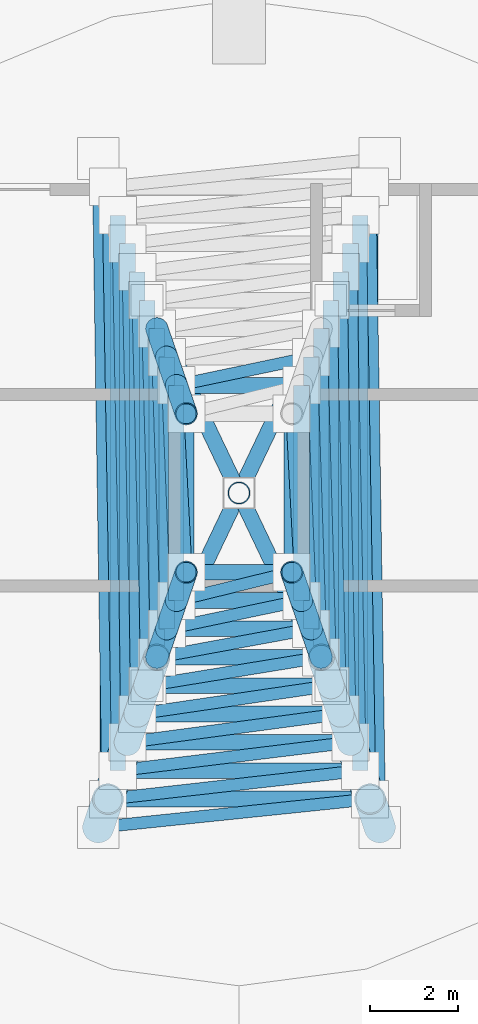
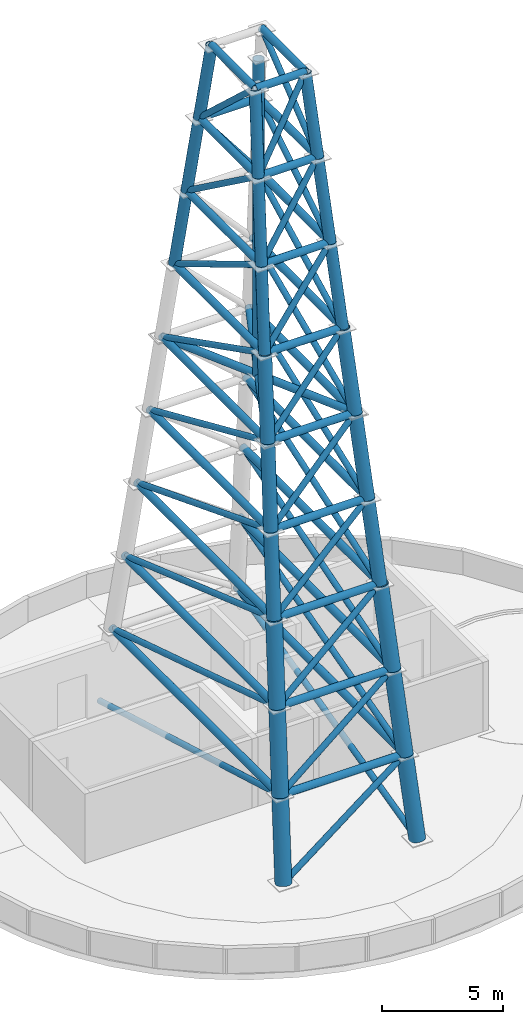
# One storey, part 1 of 4: 81 members.
"""IFC4 building model written with IfcOpenShell, lengths in metres."""

from ifc_helpers import new_model, si_unit, direction, frame, origin, origin_2d, place, context, subcontext, project, spatial, hollow_circle, extrude, material, material_profile, profile_set, type_object, element, save


model = new_model("IFC4")

# Units and contexts
model_context = context("Model", 3, precision=1e-05, world=origin(), true_north=direction((0.0, 1.0)))
body_context = subcontext(model_context, "Body", "Model", "MODEL_VIEW")
ifc_project = project(units=[si_unit("LENGTHUNIT", "METRE"), si_unit("AREAUNIT", "SQUARE_METRE"), si_unit("VOLUMEUNIT", "CUBIC_METRE"), si_unit("PLANEANGLEUNIT", "RADIAN"), si_unit("MASSUNIT", "GRAM", prefix="KILO")], contexts=[model_context])

# Site, building, storey
site_placement = place(None, origin())
site = spatial("IfcSite", under=ifc_project, at=site_placement, CompositionType="ELEMENT")
building_placement = place(site_placement, origin())
building = spatial("IfcBuilding", under=site, at=building_placement, Name="Lazwardi Medical Tower", CompositionType="ELEMENT")
storey_placement = place(building_placement, frame((0.0, 0.0, 316.0)))
storey = spatial("IfcBuildingStorey", under=building, at=storey_placement, Name="RF", CompositionType="ELEMENT", Elevation=316.0)

# Members
ifc_material = material(Name="Steel S460", Category="steel")
ifc_material_profile_1 = material_profile(ifc_material, hollow_circle(Radius=0.177734375, WallThickness=0.01611328125, at=origin_2d()), Name="CHS 355.6x16")
ifc_profile_set_1 = profile_set([ifc_material_profile_1], Name="Steel S460")
member_type_1 = type_object("IfcMemberType", Name="MEM-MB-01", PredefinedType="BRACE", material=ifc_profile_set_1)
member_1_placement = place(storey_placement, frame((33.022216796875, 21.04443359375, 4.0), z_axis=(1.0, 0.0, 0.0), x_axis=(0.0, 1.0, 0.0)))
element("IfcMember", 1, at=member_1_placement, inside=storey, type_object=member_type_1, Name="Broadcast Mast ring strut MB-01 F1 B1", PredefinedType="BRACE", context=body_context, shape_type="SweptSolid", body=[
    extrude(hollow_circle(Radius=0.177734375, WallThickness=0.01611328125, at=origin_2d()), origin(), (0.0, 0.0, 1.0), 5.95556640625),
])
for number, where, z_axis, x_axis, name in (
    (2, (38.977783203125, 21.04443359375, 4.0), (0.0, 1.0, 0.0), (-1.0, 0.0, 0.0), "Broadcast Mast ring strut MB-01 F2 B1"),
    (3, (33.022216796875, 34.95556640625, 4.0), (0.0, -1.0, 0.0), (1.0, 0.0, 0.0), "Broadcast Mast ring strut MB-01 F4 B1"),
):
    element("IfcMember", number, at=place(storey_placement, frame(where, z_axis=z_axis, x_axis=x_axis)), inside=storey, type_object=member_type_1, Name=name, PredefinedType="BRACE", context=body_context, shape_type="SweptSolid", body=[
        extrude(hollow_circle(Radius=0.177734375, WallThickness=0.01611328125, at=origin_2d()), origin(), (0.0, 0.0, 1.0), 13.9111328125),
    ])
member_2_placement = place(storey_placement, frame((33.244384765625, 21.68896484375, 8.0), z_axis=(1.0, 0.0, 0.0), x_axis=(0.0, 1.0, 0.0)))
element("IfcMember", 4, at=member_2_placement, inside=storey, type_object=member_type_1, Name="Broadcast Mast ring strut MB-01 F1 B2", PredefinedType="BRACE", context=body_context, shape_type="SweptSolid", body=[
    extrude(hollow_circle(Radius=0.177734375, WallThickness=0.01611328125, at=origin_2d()), origin(), (0.0, 0.0, 1.0), 5.51123046875),
])
for number, where, z_axis, x_axis, name in (
    (5, (38.755615234375, 21.68896484375, 8.0), (0.0, 1.0, 0.0), (-1.0, 0.0, 0.0), "Broadcast Mast ring strut MB-01 F2 B2"),
    (6, (33.244384765625, 34.31103515625, 8.0), (0.0, -1.0, 0.0), (1.0, 0.0, 0.0), "Broadcast Mast ring strut MB-01 F4 B2"),
):
    element("IfcMember", number, at=place(storey_placement, frame(where, z_axis=z_axis, x_axis=x_axis)), inside=storey, type_object=member_type_1, Name=name, PredefinedType="BRACE", context=body_context, shape_type="SweptSolid", body=[
        extrude(hollow_circle(Radius=0.177734375, WallThickness=0.01611328125, at=origin_2d()), origin(), (0.0, 0.0, 1.0), 12.6220703125),
    ])
member_3_placement = place(storey_placement, frame((33.466796875, 22.333251953125, 12.0), z_axis=(1.0, 0.0, 0.0), x_axis=(0.0, 1.0, 0.0)))
element("IfcMember", 7, at=member_3_placement, inside=storey, type_object=member_type_1, Name="Broadcast Mast ring strut MB-01 F1 B3", PredefinedType="BRACE", context=body_context, shape_type="SweptSolid", body=[
    extrude(hollow_circle(Radius=0.177734375, WallThickness=0.01611328125, at=origin_2d()), origin(), (0.0, 0.0, 1.0), 5.06640625),
])
for number, where, z_axis, x_axis, name in (
    (8, (38.533203125, 22.333251953125, 12.0), (0.0, 1.0, 0.0), (-1.0, 0.0, 0.0), "Broadcast Mast ring strut MB-01 F2 B3"),
    (9, (33.466796875, 33.666748046875, 12.0), (0.0, -1.0, 0.0), (1.0, 0.0, 0.0), "Broadcast Mast ring strut MB-01 F4 B3"),
):
    element("IfcMember", number, at=place(storey_placement, frame(where, z_axis=z_axis, x_axis=x_axis)), inside=storey, type_object=member_type_1, Name=name, PredefinedType="BRACE", context=body_context, shape_type="SweptSolid", body=[
        extrude(hollow_circle(Radius=0.177734375, WallThickness=0.01611328125, at=origin_2d()), origin(), (0.0, 0.0, 1.0), 11.33349609375),
    ])
member_4_placement = place(storey_placement, frame((33.68896484375, 22.977783203125, 16.0), z_axis=(1.0, 0.0, 0.0), x_axis=(0.0, 1.0, 0.0)))
element("IfcMember", 10, at=member_4_placement, inside=storey, type_object=member_type_1, Name="Broadcast Mast ring strut MB-01 F1 B4", PredefinedType="BRACE", context=body_context, shape_type="SweptSolid", body=[
    extrude(hollow_circle(Radius=0.177734375, WallThickness=0.01611328125, at=origin_2d()), origin(), (0.0, 0.0, 1.0), 4.6220703125),
])
for number, where, z_axis, x_axis, name in (
    (11, (38.31103515625, 22.977783203125, 16.0), (0.0, 1.0, 0.0), (-1.0, 0.0, 0.0), "Broadcast Mast ring strut MB-01 F2 B4"),
    (12, (33.68896484375, 33.022216796875, 16.0), (0.0, -1.0, 0.0), (1.0, 0.0, 0.0), "Broadcast Mast ring strut MB-01 F4 B4"),
):
    element("IfcMember", number, at=place(storey_placement, frame(where, z_axis=z_axis, x_axis=x_axis)), inside=storey, type_object=member_type_1, Name=name, PredefinedType="BRACE", context=body_context, shape_type="SweptSolid", body=[
        extrude(hollow_circle(Radius=0.177734375, WallThickness=0.01611328125, at=origin_2d()), origin(), (0.0, 0.0, 1.0), 10.04443359375),
    ])
member_5_placement = place(storey_placement, frame((33.9111328125, 23.622314453125, 20.0), z_axis=(1.0, 0.0, 0.0), x_axis=(0.0, 1.0, 0.0)))
element("IfcMember", 13, at=member_5_placement, inside=storey, type_object=member_type_1, Name="Broadcast Mast ring strut MB-01 F1 B5", PredefinedType="BRACE", context=body_context, shape_type="SweptSolid", body=[
    extrude(hollow_circle(Radius=0.177734375, WallThickness=0.01611328125, at=origin_2d()), origin(), (0.0, 0.0, 1.0), 4.177734375),
])
for number, where, z_axis, x_axis, name in (
    (14, (38.0888671875, 23.622314453125, 20.0), (0.0, 1.0, 0.0), (-1.0, 0.0, 0.0), "Broadcast Mast ring strut MB-01 F2 B5"),
    (15, (33.9111328125, 32.377685546875, 20.0), (0.0, -1.0, 0.0), (1.0, 0.0, 0.0), "Broadcast Mast ring strut MB-01 F4 B5"),
):
    element("IfcMember", number, at=place(storey_placement, frame(where, z_axis=z_axis, x_axis=x_axis)), inside=storey, type_object=member_type_1, Name=name, PredefinedType="BRACE", context=body_context, shape_type="SweptSolid", body=[
        extrude(hollow_circle(Radius=0.177734375, WallThickness=0.01611328125, at=origin_2d()), origin(), (0.0, 0.0, 1.0), 8.75537109375),
    ])
member_6_placement = place(storey_placement, frame((34.13330078125, 24.2666015625, 24.0), z_axis=(1.0, 0.0, 0.0), x_axis=(0.0, 1.0, 0.0)))
element("IfcMember", 16, at=member_6_placement, inside=storey, type_object=member_type_1, Name="Broadcast Mast ring strut MB-01 F1 B6", PredefinedType="BRACE", context=body_context, shape_type="SweptSolid", body=[
    extrude(hollow_circle(Radius=0.177734375, WallThickness=0.01611328125, at=origin_2d()), origin(), (0.0, 0.0, 1.0), 3.7333984375),
])
for number, where, z_axis, x_axis, name in (
    (17, (37.86669921875, 24.2666015625, 24.0), (0.0, 1.0, 0.0), (-1.0, 0.0, 0.0), "Broadcast Mast ring strut MB-01 F2 B6"),
    (18, (34.13330078125, 31.7333984375, 24.0), (0.0, -1.0, 0.0), (1.0, 0.0, 0.0), "Broadcast Mast ring strut MB-01 F4 B6"),
):
    element("IfcMember", number, at=place(storey_placement, frame(where, z_axis=z_axis, x_axis=x_axis)), inside=storey, type_object=member_type_1, Name=name, PredefinedType="BRACE", context=body_context, shape_type="SweptSolid", body=[
        extrude(hollow_circle(Radius=0.177734375, WallThickness=0.01611328125, at=origin_2d()), origin(), (0.0, 0.0, 1.0), 7.466796875),
    ])
member_7_placement = place(storey_placement, frame((34.355712890625, 24.9111328125, 28.0), z_axis=(1.0, 0.0, 0.0), x_axis=(0.0, 1.0, 0.0)))
element("IfcMember", 19, at=member_7_placement, inside=storey, type_object=member_type_1, Name="Broadcast Mast ring strut MB-01 F1 B7", PredefinedType="BRACE", context=body_context, shape_type="SweptSolid", body=[
    extrude(hollow_circle(Radius=0.177734375, WallThickness=0.01611328125, at=origin_2d()), origin(), (0.0, 0.0, 1.0), 3.28857421875),
])
for number, where, z_axis, x_axis, name in (
    (20, (37.644287109375, 24.9111328125, 28.0), (0.0, 1.0, 0.0), (-1.0, 0.0, 0.0), "Broadcast Mast ring strut MB-01 F2 B7"),
    (21, (34.355712890625, 31.0888671875, 28.0), (0.0, -1.0, 0.0), (1.0, 0.0, 0.0), "Broadcast Mast ring strut MB-01 F4 B7"),
):
    element("IfcMember", number, at=place(storey_placement, frame(where, z_axis=z_axis, x_axis=x_axis)), inside=storey, type_object=member_type_1, Name=name, PredefinedType="BRACE", context=body_context, shape_type="SweptSolid", body=[
        extrude(hollow_circle(Radius=0.177734375, WallThickness=0.01611328125, at=origin_2d()), origin(), (0.0, 0.0, 1.0), 6.177734375),
    ])
member_8_placement = place(storey_placement, frame((34.577880859375, 25.5556640625, 32.0), z_axis=(1.0, 0.0, 0.0), x_axis=(0.0, 1.0, 0.0)))
element("IfcMember", 22, at=member_8_placement, inside=storey, type_object=member_type_1, Name="Broadcast Mast ring strut MB-01 F1 B8", PredefinedType="BRACE", context=body_context, shape_type="SweptSolid", body=[
    extrude(hollow_circle(Radius=0.177734375, WallThickness=0.01611328125, at=origin_2d()), origin(), (0.0, 0.0, 1.0), 2.84423828125),
])
member_9_placement = place(storey_placement, frame((37.422119140625, 25.5556640625, 32.0), z_axis=(0.0, 1.0, 0.0), x_axis=(-1.0, 0.0, 0.0)))
element("IfcMember", 23, at=member_9_placement, inside=storey, type_object=member_type_1, Name="Broadcast Mast ring strut MB-01 F2 B8", PredefinedType="BRACE", context=body_context, shape_type="SweptSolid", body=[
    extrude(hollow_circle(Radius=0.177734375, WallThickness=0.01611328125, at=origin_2d()), origin(), (0.0, 0.0, 1.0), 4.888671875),
])
member_10_placement = place(storey_placement, frame((37.422119140625, 30.4443359375, 32.0), z_axis=(-1.0, 0.0, 0.0), x_axis=(0.0, -1.0, 0.0)))
element("IfcMember", 24, at=member_10_placement, inside=storey, type_object=member_type_1, Name="Broadcast Mast ring strut MB-01 F3 B8", PredefinedType="BRACE", context=body_context, shape_type="SweptSolid", body=[
    extrude(hollow_circle(Radius=0.177734375, WallThickness=0.01611328125, at=origin_2d()), origin(), (0.0, 0.0, 1.0), 2.84423828125),
])
member_11_placement = place(storey_placement, frame((34.577880859375, 30.4443359375, 32.0), z_axis=(0.0, -1.0, 0.0), x_axis=(1.0, 0.0, 0.0)))
element("IfcMember", 25, at=member_11_placement, inside=storey, type_object=member_type_1, Name="Broadcast Mast ring strut MB-01 F4 B8", PredefinedType="BRACE", context=body_context, shape_type="SweptSolid", body=[
    extrude(hollow_circle(Radius=0.177734375, WallThickness=0.01611328125, at=origin_2d()), origin(), (0.0, 0.0, 1.0), 4.888671875),
])
member_12_placement = place(storey_placement, frame((34.798828125, 26.19677734375, 35.97998046875), z_axis=(1.0, 0.0, 0.0), x_axis=(0.0, 1.0, 0.0)))
element("IfcMember", 26, at=member_12_placement, inside=storey, type_object=member_type_1, Name="Broadcast Mast ring strut MB-01 F1 B9", PredefinedType="BRACE", context=body_context, shape_type="SweptSolid", body=[
    extrude(hollow_circle(Radius=0.177734375, WallThickness=0.01611328125, at=origin_2d()), origin(), (0.0, 0.0, 1.0), 2.40234375),
])
for number, where, z_axis, x_axis, name in (
    (27, (37.201171875, 26.19677734375, 35.97998046875), (0.0, 1.0, 0.0), (-1.0, 0.0, 0.0), "Broadcast Mast ring strut MB-01 F2 B9"),
    (28, (34.798828125, 29.80322265625, 35.97998046875), (0.0, -1.0, 0.0), (1.0, 0.0, 0.0), "Broadcast Mast ring strut MB-01 F4 B9"),
):
    element("IfcMember", number, at=place(storey_placement, frame(where, z_axis=z_axis, x_axis=x_axis)), inside=storey, type_object=member_type_1, Name=name, PredefinedType="BRACE", context=body_context, shape_type="SweptSolid", body=[
        extrude(hollow_circle(Radius=0.177734375, WallThickness=0.01611328125, at=origin_2d()), origin(), (0.0, 0.0, 1.0), 3.6064453125),
    ])
member_13_placement = place(storey_placement, frame((33.9111328125, 23.622314453125, 20.0), z_axis=(0.430648526654, 0.902519720832, 0.0), x_axis=(-0.902519720832, 0.430648526654, 0.0)))
element("IfcMember", 29, at=member_13_placement, inside=storey, type_object=member_type_1, Name="Broadcast Mast cross diaphragm MB-01 C1", PredefinedType="BRACE", context=body_context, shape_type="SweptSolid", body=[
    extrude(hollow_circle(Radius=0.177734375, WallThickness=0.01611328125, at=origin_2d()), origin(), (0.0, 0.0, 1.0), 9.700927734375),
])
for number, where, z_axis, x_axis, name in (
    (30, (38.0888671875, 23.622314453125, 20.0), (-0.430638344764, 0.902524579177, 0.0), (-0.902524579177, -0.430638344764, 0.0), "Broadcast Mast cross diaphragm MB-01 C2A"),
    (31, (33.9111328125, 32.377685546875, 20.0), (0.430638344764, -0.902524579177, 0.0), (0.902524579177, 0.430638344764, 0.0), "Broadcast Mast cross diaphragm MB-01 C2B"),
):
    element("IfcMember", number, at=place(storey_placement, frame(where, z_axis=z_axis, x_axis=x_axis)), inside=storey, type_object=member_type_1, Name=name, PredefinedType="BRACE", context=body_context, shape_type="SweptSolid", body=[
        extrude(hollow_circle(Radius=0.177734375, WallThickness=0.01611328125, at=origin_2d()), origin(), (0.0, 0.0, 1.0), 4.70556640625),
    ])
ifc_material_profile_2 = material_profile(ifc_material, hollow_circle(Radius=0.136474609375, WallThickness=0.012451171875, at=origin_2d()), Name="CHS 273x12.5")
ifc_profile_set_2 = profile_set([ifc_material_profile_2], Name="Steel S460")
member_type_2 = type_object("IfcMemberType", Name="MEM-MB-02", PredefinedType="BRACE", material=ifc_profile_set_2)
member_14_placement = place(storey_placement, frame((32.801025390625, 20.4033203125, 0.02001953125), z_axis=(0.837426543672, 0.086920241252, 0.539593972923), x_axis=(-0.103239839759, 0.9946564912, 0.0)))
element("IfcMember", 32, at=member_14_placement, inside=storey, type_object=member_type_2, Name="Broadcast Mast lattice brace MB-02 F1 B1", PredefinedType="BRACE", context=body_context, shape_type="SweptSolid", body=[
    extrude(hollow_circle(Radius=0.136474609375, WallThickness=0.012451171875, at=origin_2d()), origin(), (0.0, 0.0, 1.0), 7.3759765625),
])
for number, where, z_axis, x_axis, name in (
    (33, (39.198974609375, 20.4033203125, 0.02001953125), (-0.014659788699, 0.964471705509, 0.263779111888), (-0.999884502869, -0.015198056565, 0.0), "Broadcast Mast lattice brace MB-02 F2 B1"),
    (34, (32.801025390625, 35.5966796875, 0.02001953125), (0.014659788699, -0.964471705509, 0.263779111888), (0.999884502869, 0.015198056565, 0.0), "Broadcast Mast lattice brace MB-02 F4 B1"),
):
    element("IfcMember", number, at=place(storey_placement, frame(where, z_axis=z_axis, x_axis=x_axis)), inside=storey, type_object=member_type_2, Name=name, PredefinedType="BRACE", context=body_context, shape_type="SweptSolid", body=[
        extrude(hollow_circle(Radius=0.136474609375, WallThickness=0.012451171875, at=origin_2d()), origin(), (0.0, 0.0, 1.0), 15.08837890625),
    ])
member_15_placement = place(storey_placement, frame((33.022216796875, 21.04443359375, 4.0), z_axis=(0.816666434156, 0.091807161734, 0.569760809794), x_axis=(-0.111713288479, 0.993740479792, 0.0)))
element("IfcMember", 35, at=member_15_placement, inside=storey, type_object=member_type_2, Name="Broadcast Mast lattice brace MB-02 F1 B2", PredefinedType="BRACE", context=body_context, shape_type="SweptSolid", body=[
    extrude(hollow_circle(Radius=0.136474609375, WallThickness=0.012451171875, at=origin_2d()), origin(), (0.0, 0.0, 1.0), 7.0205078125),
])
for number, where, z_axis, x_axis, name in (
    (36, (38.977783203125, 21.04443359375, 4.0), (-0.016031418139, 0.95730468318, 0.288635994281), (-0.999859808337, -0.016744063776, 0.0), "Broadcast Mast lattice brace MB-02 F2 B2"),
    (37, (33.022216796875, 34.95556640625, 4.0), (0.016031418139, -0.95730468318, 0.288635994281), (0.999859808337, 0.016744063776, 0.0), "Broadcast Mast lattice brace MB-02 F4 B2"),
):
    element("IfcMember", number, at=place(storey_placement, frame(where, z_axis=z_axis, x_axis=x_axis)), inside=storey, type_object=member_type_2, Name=name, PredefinedType="BRACE", context=body_context, shape_type="SweptSolid", body=[
        extrude(hollow_circle(Radius=0.136474609375, WallThickness=0.012451171875, at=origin_2d()), origin(), (0.0, 0.0, 1.0), 13.8583984375),
    ])
member_16_placement = place(storey_placement, frame((33.244384765625, 21.68896484375, 8.0), z_axis=(0.793838569591, 0.096705903391, 0.600390117905), x_axis=(-0.120926628878, 0.992661448042, 0.0)))
element("IfcMember", 38, at=member_16_placement, inside=storey, type_object=member_type_2, Name="Broadcast Mast lattice brace MB-02 F1 B3", PredefinedType="BRACE", context=body_context, shape_type="SweptSolid", body=[
    extrude(hollow_circle(Radius=0.136474609375, WallThickness=0.012451171875, at=origin_2d()), origin(), (0.0, 0.0, 1.0), 6.662353515625),
])
for number, where, z_axis, x_axis, name in (
    (39, (38.755615234375, 21.68896484375, 8.0), (-0.017609834414, 0.948360138488, 0.316706396302), (-0.999827645877, -0.018565520177, 0.0), "Broadcast Mast lattice brace MB-02 F2 B3"),
    (40, (33.244384765625, 34.31103515625, 8.0), (0.017609834414, -0.948360138488, 0.316706396302), (0.999827645877, 0.018565520177, 0.0), "Broadcast Mast lattice brace MB-02 F4 B3"),
):
    element("IfcMember", number, at=place(storey_placement, frame(where, z_axis=z_axis, x_axis=x_axis)), inside=storey, type_object=member_type_2, Name=name, PredefinedType="BRACE", context=body_context, shape_type="SweptSolid", body=[
        extrude(hollow_circle(Radius=0.136474609375, WallThickness=0.012451171875, at=origin_2d()), origin(), (0.0, 0.0, 1.0), 12.6298828125),
    ])
member_17_placement = place(storey_placement, frame((33.466796875, 22.333251953125, 12.0), z_axis=(0.767072968437, 0.102059905084, 0.633389956399), x_axis=(-0.131888837519, 0.991264512901, 0.0)))
element("IfcMember", 41, at=member_17_placement, inside=storey, type_object=member_type_2, Name="Broadcast Mast lattice brace MB-02 F1 B4", PredefinedType="BRACE", context=body_context, shape_type="SweptSolid", body=[
    extrude(hollow_circle(Radius=0.136474609375, WallThickness=0.012451171875, at=origin_2d()), origin(), (0.0, 0.0, 1.0), 6.315185546875),
])
for number, where, z_axis, x_axis, name in (
    (42, (38.533203125, 22.333251953125, 12.0), (-0.019462726974, 0.93639243117, 0.350414635976), (-0.99978406606, -0.020780309262, 0.0), "Broadcast Mast lattice brace MB-02 F2 B4"),
    (43, (33.466796875, 33.666748046875, 12.0), (0.019462726974, -0.93639243117, 0.350414635976), (0.99978406606, 0.020780309262, 0.0), "Broadcast Mast lattice brace MB-02 F4 B4"),
):
    element("IfcMember", number, at=place(storey_placement, frame(where, z_axis=z_axis, x_axis=x_axis)), inside=storey, type_object=member_type_2, Name=name, PredefinedType="BRACE", context=body_context, shape_type="SweptSolid", body=[
        extrude(hollow_circle(Radius=0.136474609375, WallThickness=0.012451171875, at=origin_2d()), origin(), (0.0, 0.0, 1.0), 11.4150390625),
    ])
member_18_placement = place(storey_placement, frame((33.68896484375, 22.977783203125, 16.0), z_axis=(0.735623983072, 0.107759811081, 0.668763918469), x_axis=(-0.144940765818, 0.989440333928, 0.0)))
element("IfcMember", 44, at=member_18_placement, inside=storey, type_object=member_type_2, Name="Broadcast Mast lattice brace MB-02 F1 B5", PredefinedType="BRACE", context=body_context, shape_type="SweptSolid", body=[
    extrude(hollow_circle(Radius=0.136474609375, WallThickness=0.012451171875, at=origin_2d()), origin(), (0.0, 0.0, 1.0), 5.981201171875),
])
for number, where, z_axis, x_axis, name in (
    (45, (38.31103515625, 22.977783203125, 16.0), (-0.021742803891, 0.9199356433, 0.391466042799), (-0.999720807143, -0.023628537076, 0.0), "Broadcast Mast lattice brace MB-02 F2 B5"),
    (46, (33.68896484375, 33.022216796875, 16.0), (0.021742803891, -0.9199356433, 0.391466042799), (0.999720807143, 0.023628537076, 0.0), "Broadcast Mast lattice brace MB-02 F4 B5"),
):
    element("IfcMember", number, at=place(storey_placement, frame(where, z_axis=z_axis, x_axis=x_axis)), inside=storey, type_object=member_type_2, Name=name, PredefinedType="BRACE", context=body_context, shape_type="SweptSolid", body=[
        extrude(hollow_circle(Radius=0.136474609375, WallThickness=0.012451171875, at=origin_2d()), origin(), (0.0, 0.0, 1.0), 10.218017578125),
    ])
member_19_placement = place(storey_placement, frame((33.9111328125, 23.622314453125, 20.0), z_axis=(0.698579772448, 0.113785459788, 0.706427045537), x_axis=(-0.160762549197, 0.986993111818, 0.0)))
element("IfcMember", 47, at=member_19_placement, inside=storey, type_object=member_type_2, Name="Broadcast Mast lattice brace MB-02 F1 B6", PredefinedType="BRACE", context=body_context, shape_type="SweptSolid", body=[
    extrude(hollow_circle(Radius=0.136474609375, WallThickness=0.012451171875, at=origin_2d()), origin(), (0.0, 0.0, 1.0), 5.662353515625),
])
for number, where, z_axis, x_axis, name in (
    (48, (38.0888671875, 23.622314453125, 20.0), (-0.024558462605, 0.896599783671, 0.442160276184), (-0.999625086733, -0.027380393972, 0.0), "Broadcast Mast lattice brace MB-02 F2 B6"),
    (49, (33.9111328125, 32.377685546875, 20.0), (0.024558462605, -0.896599783671, 0.442160276184), (0.999625086733, 0.027380393972, 0.0), "Broadcast Mast lattice brace MB-02 F4 B6"),
):
    element("IfcMember", number, at=place(storey_placement, frame(where, z_axis=z_axis, x_axis=x_axis)), inside=storey, type_object=member_type_2, Name=name, PredefinedType="BRACE", context=body_context, shape_type="SweptSolid", body=[
        extrude(hollow_circle(Radius=0.136474609375, WallThickness=0.012451171875, at=origin_2d()), origin(), (0.0, 0.0, 1.0), 9.04638671875),
    ])
member_20_placement = place(storey_placement, frame((34.13330078125, 24.2666015625, 24.0), z_axis=(0.654888372799, 0.120221493929, 0.746101877474), x_axis=(-0.180558353603, 0.983564273926, 0.0)))
element("IfcMember", 50, at=member_20_placement, inside=storey, type_object=member_type_2, Name="Broadcast Mast lattice brace MB-02 F1 B7", PredefinedType="BRACE", context=body_context, shape_type="SweptSolid", body=[
    extrude(hollow_circle(Radius=0.136474609375, WallThickness=0.012451171875, at=origin_2d()), origin(), (0.0, 0.0, 1.0), 5.361083984375),
])
for number, where, z_axis, x_axis, name in (
    (51, (37.86669921875, 24.2666015625, 24.0), (-0.028112296493, 0.862316150604, 0.505589314754), (-0.999469013354, -0.032583605467, 0.0), "Broadcast Mast lattice brace MB-02 F2 B7"),
    (52, (34.13330078125, 31.7333984375, 24.0), (0.028112296493, -0.862316150604, 0.505589314754), (0.999469013354, 0.032583605467, 0.0), "Broadcast Mast lattice brace MB-02 F4 B7"),
):
    element("IfcMember", number, at=place(storey_placement, frame(where, z_axis=z_axis, x_axis=x_axis)), inside=storey, type_object=member_type_2, Name=name, PredefinedType="BRACE", context=body_context, shape_type="SweptSolid", body=[
        extrude(hollow_circle(Radius=0.136474609375, WallThickness=0.012451171875, at=origin_2d()), origin(), (0.0, 0.0, 1.0), 7.91162109375),
    ])
member_21_placement = place(storey_placement, frame((34.355712890625, 24.9111328125, 28.0), z_axis=(0.603484528569, 0.126847066514, 0.787220582489), x_axis=(-0.205696329267, 0.978615869545, 0.0)))
element("IfcMember", 53, at=member_21_placement, inside=storey, type_object=member_type_2, Name="Broadcast Mast lattice brace MB-02 F1 B8", PredefinedType="BRACE", context=body_context, shape_type="SweptSolid", body=[
    extrude(hollow_circle(Radius=0.136474609375, WallThickness=0.012451171875, at=origin_2d()), origin(), (0.0, 0.0, 1.0), 5.0810546875),
])
member_22_placement = place(storey_placement, frame((37.644287109375, 24.9111328125, 28.0), z_axis=(-0.03252239897, 0.809986428858, 0.585546137064), x_axis=(-0.999194890525, -0.040119455982, 0.0)))
element("IfcMember", 54, at=member_22_placement, inside=storey, type_object=member_type_2, Name="Broadcast Mast lattice brace MB-02 F2 B8", PredefinedType="BRACE", context=body_context, shape_type="SweptSolid", body=[
    extrude(hollow_circle(Radius=0.136474609375, WallThickness=0.012451171875, at=origin_2d()), origin(), (0.0, 0.0, 1.0), 6.831298828125),
])
member_23_placement = place(storey_placement, frame((37.644287109375, 31.0888671875, 28.0), z_axis=(-0.603484528569, -0.126847066514, 0.787220582489), x_axis=(0.205696329267, -0.978615869545, 0.0)))
element("IfcMember", 55, at=member_23_placement, inside=storey, type_object=member_type_2, Name="Broadcast Mast lattice brace MB-02 F3 B8", PredefinedType="BRACE", context=body_context, shape_type="SweptSolid", body=[
    extrude(hollow_circle(Radius=0.136474609375, WallThickness=0.012451171875, at=origin_2d()), origin(), (0.0, 0.0, 1.0), 5.0810546875),
])
member_24_placement = place(storey_placement, frame((34.355712890625, 31.0888671875, 28.0), z_axis=(0.03252239897, -0.809986428858, 0.585546137064), x_axis=(0.999194890525, 0.040119455982, 0.0)))
element("IfcMember", 56, at=member_24_placement, inside=storey, type_object=member_type_2, Name="Broadcast Mast lattice brace MB-02 F4 B8", PredefinedType="BRACE", context=body_context, shape_type="SweptSolid", body=[
    extrude(hollow_circle(Radius=0.136474609375, WallThickness=0.012451171875, at=origin_2d()), origin(), (0.0, 0.0, 1.0), 6.831298828125),
])
member_25_placement = place(storey_placement, frame((34.577880859375, 25.5556640625, 32.0), z_axis=(0.545420155247, 0.133296726634, 0.827495520785), x_axis=(-0.237405696647, 0.97141059043, 0.0)))
element("IfcMember", 57, at=member_25_placement, inside=storey, type_object=member_type_2, Name="Broadcast Mast lattice brace MB-02 F1 B9", PredefinedType="BRACE", context=body_context, shape_type="SweptSolid", body=[
    extrude(hollow_circle(Radius=0.136474609375, WallThickness=0.012451171875, at=origin_2d()), origin(), (0.0, 0.0, 1.0), 4.8095703125),
])
for number, where, z_axis, x_axis, name in (
    (58, (37.422119140625, 25.5556640625, 32.0), (-0.037930754163, 0.729192553506, 0.683256524155), (-0.998649830604, -0.051947240872, 0.0), "Broadcast Mast lattice brace MB-02 F2 B9"),
    (59, (34.577880859375, 30.4443359375, 32.0), (0.037930754163, -0.729192553506, 0.683256524155), (0.998649830604, 0.051947240872, 0.0), "Broadcast Mast lattice brace MB-02 F4 B9"),
):
    element("IfcMember", number, at=place(storey_placement, frame(where, z_axis=z_axis, x_axis=x_axis)), inside=storey, type_object=member_type_2, Name=name, PredefinedType="BRACE", context=body_context, shape_type="SweptSolid", body=[
        extrude(hollow_circle(Radius=0.136474609375, WallThickness=0.012451171875, at=origin_2d()), origin(), (0.0, 0.0, 1.0), 5.824951171875),
    ])
ifc_material_profile_3 = material_profile(ifc_material, hollow_circle(Radius=0.35546875, WallThickness=0.031982421875, at=origin_2d()), Name="CHS 711x32")
ifc_profile_set_3 = profile_set([ifc_material_profile_3], Name="Steel S460")
member_type_3 = type_object("IfcMemberType", Name="MEM-ML-01", PredefinedType="POST", material=ifc_profile_set_3)
for number, where, z_axis, x_axis, name in (
    (60, (32.800048828125, 20.39990234375, 0.02001953125), (0.055020017926, 0.159618513542, 0.985644321123), (-0.945411031533, 0.325880317687, 0.0), "Broadcast Mast leg ML-01 L1 tier 1"),
    (61, (39.199951171875, 20.39990234375, 0.02001953125), (-0.055020017926, 0.159618513542, 0.985644321123), (-0.945411031533, -0.325880317687, 0.0), "Broadcast Mast leg ML-01 L2 tier 1"),
):
    element("IfcMember", number, at=place(storey_placement, frame(where, z_axis=z_axis, x_axis=x_axis)), inside=storey, type_object=member_type_3, Name=name, PredefinedType="POST", context=body_context, shape_type="SweptSolid", body=[
        extrude(hollow_circle(Radius=0.35546875, WallThickness=0.031982421875, at=origin_2d()), origin(), (0.0, 0.0, 1.0), 4.037841796875),
    ])
for number, where, z_axis, x_axis, name in (
    (62, (33.022216796875, 21.04443359375, 4.0), (0.054752441478, 0.158842247803, 0.985784616671), (-0.945411031533, 0.325880317687, 0.0), "Broadcast Mast leg ML-01 L1 tier 2"),
    (63, (38.977783203125, 21.04443359375, 4.0), (-0.054752441478, 0.158842247803, 0.985784616671), (-0.945411031533, -0.325880317687, 0.0), "Broadcast Mast leg ML-01 L2 tier 2"),
    (64, (33.244384765625, 21.68896484375, 8.0), (0.054812952082, 0.158783074144, 0.985790786957), (-0.945262539536, 0.32631078951, 0.0), "Broadcast Mast leg ML-01 L1 tier 3"),
    (65, (38.755615234375, 21.68896484375, 8.0), (-0.054812952082, 0.158783074144, 0.985790786957), (-0.945262539536, -0.32631078951, 0.0), "Broadcast Mast leg ML-01 L2 tier 3"),
):
    element("IfcMember", number, at=place(storey_placement, frame(where, z_axis=z_axis, x_axis=x_axis)), inside=storey, type_object=member_type_3, Name=name, PredefinedType="POST", context=body_context, shape_type="SweptSolid", body=[
        extrude(hollow_circle(Radius=0.35546875, WallThickness=0.031982421875, at=origin_2d()), origin(), (0.0, 0.0, 1.0), 4.0576171875),
    ])
ifc_material_profile_4 = material_profile(ifc_material, hollow_circle(Radius=0.304931640625, WallThickness=0.028076171875, at=origin_2d()), Name="CHS 610x28")
ifc_profile_set_4 = profile_set([ifc_material_profile_4], Name="Steel S460")
member_type_4 = type_object("IfcMemberType", Name="MEM-ML-02", PredefinedType="POST", material=ifc_profile_set_4)
for number, where, z_axis, x_axis, name in (
    (66, (33.466796875, 22.333251953125, 12.0), (0.054752441478, 0.158842247803, 0.985784616671), (-0.945411031533, 0.325880317687, 0.0), "Broadcast Mast leg ML-02 L1 tier 4"),
    (67, (38.533203125, 22.333251953125, 12.0), (-0.054752441478, 0.158842247803, 0.985784616671), (-0.945411031533, -0.325880317687, 0.0), "Broadcast Mast leg ML-02 L2 tier 4"),
    (68, (33.68896484375, 22.977783203125, 16.0), (0.054752441478, 0.158842247803, 0.985784616671), (-0.945411031533, 0.325880317687, 0.0), "Broadcast Mast leg ML-02 L1 tier 5"),
    (69, (38.31103515625, 22.977783203125, 16.0), (-0.054752441478, 0.158842247803, 0.985784616671), (-0.945411031533, -0.325880317687, 0.0), "Broadcast Mast leg ML-02 L2 tier 5"),
    (70, (33.9111328125, 23.622314453125, 20.0), (0.054752964663, 0.158783597523, 0.985794036307), (-0.945372981626, 0.325990683319, 0.0), "Broadcast Mast leg ML-02 L1 tier 6"),
    (71, (38.0888671875, 23.622314453125, 20.0), (-0.054752964663, 0.158783597523, 0.985794036307), (-0.945372981626, -0.325990683319, 0.0), "Broadcast Mast leg ML-02 L2 tier 6"),
):
    element("IfcMember", number, at=place(storey_placement, frame(where, z_axis=z_axis, x_axis=x_axis)), inside=storey, type_object=member_type_4, Name=name, PredefinedType="POST", context=body_context, shape_type="SweptSolid", body=[
        extrude(hollow_circle(Radius=0.304931640625, WallThickness=0.028076171875, at=origin_2d()), origin(), (0.0, 0.0, 1.0), 4.0576171875),
    ])
ifc_material_profile_5 = material_profile(ifc_material, hollow_circle(Radius=0.25390625, WallThickness=0.02490234375, at=origin_2d()), Name="CHS 508x25")
ifc_profile_set_5 = profile_set([ifc_material_profile_5], Name="Steel S460")
member_type_5 = type_object("IfcMemberType", Name="MEM-ML-03", PredefinedType="POST", material=ifc_profile_set_5)
for number, where, z_axis, x_axis, name in (
    (72, (34.13330078125, 24.2666015625, 24.0), (0.054812428327, 0.158841724242, 0.985781367414), (-0.945300659756, 0.326200341302, 0.0), "Broadcast Mast leg ML-03 L1 tier 7"),
    (73, (37.86669921875, 24.2666015625, 24.0), (-0.054812428327, 0.158841724242, 0.985781367414), (-0.945300659756, -0.326200341302, 0.0), "Broadcast Mast leg ML-03 L2 tier 7"),
    (74, (34.13330078125, 31.7333984375, 24.0), (0.054812428327, -0.158841724242, 0.985781367414), (0.945300659756, 0.326200341302, 0.0), "Broadcast Mast leg ML-03 L4 tier 7"),
    (75, (34.355712890625, 24.9111328125, 28.0), (0.054752441478, 0.158842247803, 0.985784616671), (-0.945411031533, 0.325880317687, 0.0), "Broadcast Mast leg ML-03 L1 tier 8"),
    (76, (37.644287109375, 24.9111328125, 28.0), (-0.054752441478, 0.158842247803, 0.985784616671), (-0.945411031533, -0.325880317687, 0.0), "Broadcast Mast leg ML-03 L2 tier 8"),
    (77, (34.355712890625, 31.0888671875, 28.0), (0.054752441478, -0.158842247803, 0.985784616671), (0.945411031533, 0.325880317687, 0.0), "Broadcast Mast leg ML-03 L4 tier 8"),
):
    element("IfcMember", number, at=place(storey_placement, frame(where, z_axis=z_axis, x_axis=x_axis)), inside=storey, type_object=member_type_5, Name=name, PredefinedType="POST", context=body_context, shape_type="SweptSolid", body=[
        extrude(hollow_circle(Radius=0.25390625, WallThickness=0.02490234375, at=origin_2d()), origin(), (0.0, 0.0, 1.0), 4.0576171875),
    ])
for number, where, z_axis, x_axis, name in (
    (78, (34.577880859375, 25.5556640625, 32.0), (0.055020548819, 0.159559591575, 0.9856538317), (-0.945372981626, 0.325990683319, 0.0), "Broadcast Mast leg ML-03 L1 tier 9"),
    (79, (37.422119140625, 25.5556640625, 32.0), (-0.055020548819, 0.159559591575, 0.9856538317), (-0.945372981626, -0.325990683319, 0.0), "Broadcast Mast leg ML-03 L2 tier 9"),
    (80, (34.577880859375, 30.4443359375, 32.0), (0.055020548819, -0.159559591575, 0.9856538317), (0.945372981626, 0.325990683319, 0.0), "Broadcast Mast leg ML-03 L4 tier 9"),
):
    element("IfcMember", number, at=place(storey_placement, frame(where, z_axis=z_axis, x_axis=x_axis)), inside=storey, type_object=member_type_5, Name=name, PredefinedType="POST", context=body_context, shape_type="SweptSolid", body=[
        extrude(hollow_circle(Radius=0.25390625, WallThickness=0.02490234375, at=origin_2d()), origin(), (0.0, 0.0, 1.0), 4.037841796875),
    ])
member_26_placement = place(storey_placement, frame((36.0, 28.0, 20.0), z_axis=(0.0, 0.0, 1.0), x_axis=(1.0, 0.0, 0.0)))
element("IfcMember", 81, at=member_26_placement, inside=storey, type_object=member_type_5, Name="Broadcast Mast central spire post ML-03", PredefinedType="POST", context=body_context, shape_type="SweptSolid", body=[
    extrude(hollow_circle(Radius=0.25390625, WallThickness=0.02490234375, at=origin_2d()), origin(), (0.0, 0.0, 1.0), 15.97998046875),
])

save(model, "model.ifc")
